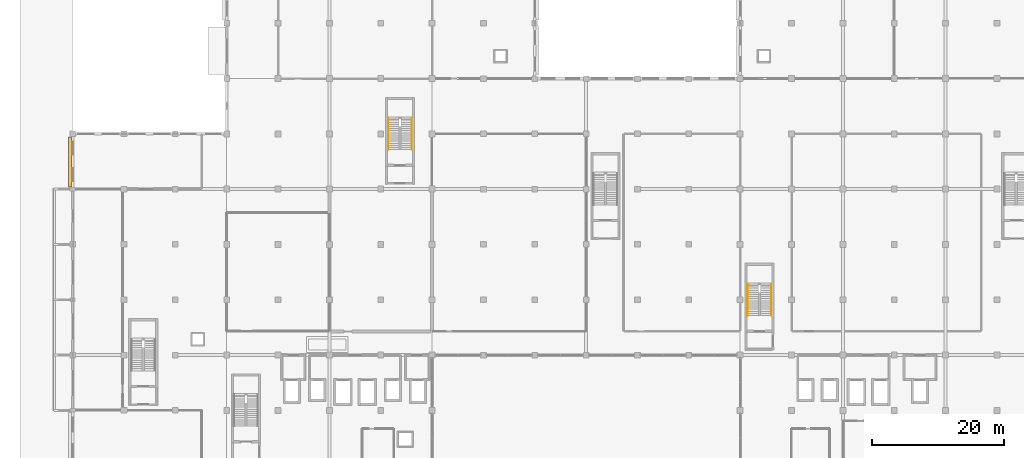
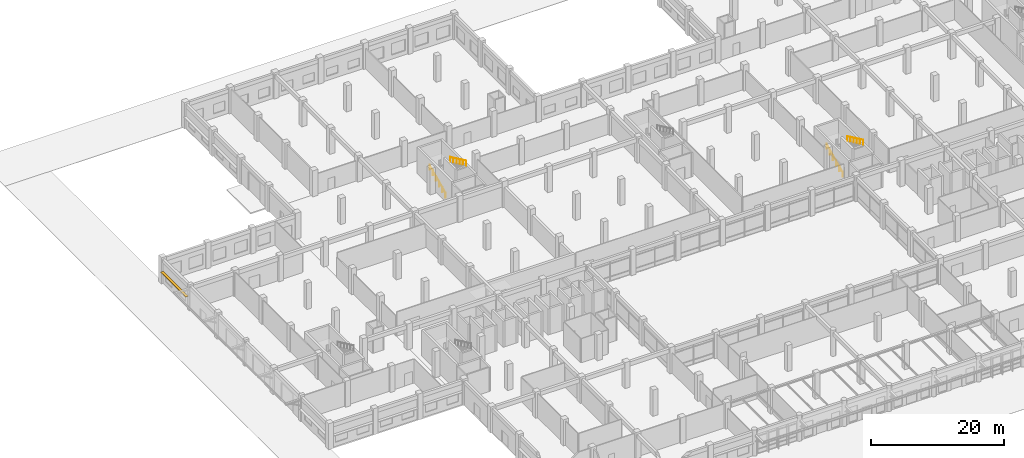
# One storey, part 67 of 74: 4 railings, 1 shading device.
"""IFC4 building model written with IfcOpenShell, lengths in metres."""

from ifc_helpers import new_model, si_unit, direction, frame, origin, origin_2d, place, context, subcontext, project, spatial, rectangle, circle, extrude, material, layer, layer_set, type_object, element, save


model = new_model("IFC4")

# Units and contexts
model_context = context("Model", 3, precision=1e-05, world=origin(), true_north=direction((0.0, 1.0)))
body_context = subcontext(model_context, "Body", "Model", "MODEL_VIEW")
ifc_project = project(units=[si_unit("LENGTHUNIT", "METRE"), si_unit("AREAUNIT", "SQUARE_METRE"), si_unit("VOLUMEUNIT", "CUBIC_METRE"), si_unit("PLANEANGLEUNIT", "RADIAN"), si_unit("MASSUNIT", "GRAM", prefix="KILO"), si_unit("THERMODYNAMICTEMPERATUREUNIT", "KELVIN"), si_unit("POWERUNIT", "WATT")], contexts=[model_context])

# Site, building, storey
site_placement = place(None, origin())
site = spatial("IfcSite", under=ifc_project, at=site_placement, CompositionType="ELEMENT")
building_placement = place(site_placement, origin())
building = spatial("IfcBuilding", under=site, at=building_placement, Name="Srebrne Nadtorze General Hospital", CompositionType="ELEMENT")
storey_placement = place(building_placement, origin())
storey = spatial("IfcBuildingStorey", under=building, at=storey_placement, Name="L00", CompositionType="ELEMENT", Elevation=0.0)

# Shading device
ifc_material_1 = material(Name="Anodised Aluminium", Category="aluminium")
ifc_layer = layer(ifc_material_1, 0.080078125)
ifc_layer_set = layer_set([ifc_layer], Name="Anodised Aluminium")
shading_device_type = type_object("IfcShadingDeviceType", Name="Hisashi horizontal aluminium sunshade", PredefinedType="JALOUSIE", material=ifc_layer_set)
shading_device_placement = place(storey_placement, frame((-0.3798828125, 79.71240234375, 2.219970703125), z_axis=(0.0, 0.0, 1.0), x_axis=(1.0, 0.0, 0.0)))
element("IfcShadingDevice", 1, at=shading_device_placement, inside=storey, type_object=shading_device_type, Name="Hisashi horizontal sunshade eave LV-027", PredefinedType="JALOUSIE", context=body_context, shape_type="SweptSolid", body=[
    extrude(rectangle(XDim=0.47998046875, YDim=7.56494140625, at=origin_2d()), origin(), (0.0, 0.0, 1.0), 0.080078125),
])

# Railings
ifc_material_2 = material(Name="Stainless Steel 316", Category="steel")
railing_type = type_object("IfcRailingType", Name="Tubular stainless handrail 920", PredefinedType="HANDRAIL", material=ifc_material_2)
railing_1_placement = place(storey_placement, frame((47.929931640625, 81.60009765625, 0.14990234375)))
element("IfcRailing", 2, at=railing_1_placement, inside=storey, type_object=railing_type, Name="Stair flight handrail ST-02-L00 F1", PredefinedType="HANDRAIL", context=body_context, shape_type="SweptSolid", body=[
    extrude(circle(Radius=0.02392578125, at=origin_2d()), frame((0.0, 0.0, 0.89599609375), z_axis=(0.0, 0.905452298538, 0.424448035774), x_axis=(-1.0, 0.0, 0.0)), (0.0, 0.0, 1.0), 5.301025390625),
    extrude(circle(Radius=0.02099609375, at=origin_2d()), origin(), (0.0, 0.0, 1.0), 0.871826171875),
    extrude(circle(Radius=0.02099609375, at=origin_2d()), frame((0.0, 0.9599609375, 0.449951171875)), (0.0, 0.0, 1.0), 0.871826171875),
    extrude(circle(Radius=0.02099609375, at=origin_2d()), frame((0.0, 1.919921875, 0.89990234375)), (0.0, 0.0, 1.0), 0.871826171875),
    extrude(circle(Radius=0.02099609375, at=origin_2d()), frame((0.0, 2.8798828125, 1.35009765625)), (0.0, 0.0, 1.0), 0.871826171875),
    extrude(circle(Radius=0.02099609375, at=origin_2d()), frame((0.0, 3.83984375, 1.800048828125)), (0.0, 0.0, 1.0), 0.871826171875),
    extrude(circle(Radius=0.02099609375, at=origin_2d()), frame((0.0, 4.7998046875, 2.25)), (0.0, 0.0, 1.0), 0.871826171875),
])
railing_2_placement = place(storey_placement, frame((51.52001953125, 86.39990234375, 2.550048828125)))
element("IfcRailing", 3, at=railing_2_placement, inside=storey, type_object=railing_type, Name="Stair flight handrail ST-02-L00 F2", PredefinedType="HANDRAIL", context=body_context, shape_type="SweptSolid", body=[
    extrude(circle(Radius=0.02392578125, at=origin_2d()), frame((0.0, 0.0, 0.89599609375), z_axis=(0.0, -0.905452298538, 0.424448035774), x_axis=(1.0, 0.0, 0.0)), (0.0, 0.0, 1.0), 5.301025390625),
    extrude(circle(Radius=0.02099609375, at=origin_2d()), origin(), (0.0, 0.0, 1.0), 0.871826171875),
    extrude(circle(Radius=0.02099609375, at=origin_2d()), frame((0.0, -0.9599609375, 0.449951171875)), (0.0, 0.0, 1.0), 0.871826171875),
    extrude(circle(Radius=0.02099609375, at=origin_2d()), frame((0.0, -1.919921875, 0.89990234375)), (0.0, 0.0, 1.0), 0.871826171875),
    extrude(circle(Radius=0.02099609375, at=origin_2d()), frame((0.0, -2.8798828125, 1.35009765625)), (0.0, 0.0, 1.0), 0.871826171875),
    extrude(circle(Radius=0.02099609375, at=origin_2d()), frame((0.0, -3.83984375, 1.800048828125)), (0.0, 0.0, 1.0), 0.871826171875),
    extrude(circle(Radius=0.02099609375, at=origin_2d()), frame((0.0, -4.7998046875, 2.25)), (0.0, 0.0, 1.0), 0.871826171875),
])
railing_3_placement = place(storey_placement, frame((102.530029296875, 56.39990234375, 0.14990234375)))
element("IfcRailing", 4, at=railing_3_placement, inside=storey, type_object=railing_type, Name="Stair flight handrail ST-03-L00 F1", PredefinedType="HANDRAIL", context=body_context, shape_type="SweptSolid", body=[
    extrude(circle(Radius=0.02392578125, at=origin_2d()), frame((0.0, 0.0, 0.89599609375), z_axis=(0.0, 0.90546059521, 0.424430336476), x_axis=(-1.0, 0.0, 0.0)), (0.0, 0.0, 1.0), 5.30126953125),
    extrude(circle(Radius=0.02099609375, at=origin_2d()), origin(), (0.0, 0.0, 1.0), 0.871826171875),
    extrude(circle(Radius=0.02099609375, at=origin_2d()), frame((0.0, 0.9599609375, 0.449951171875)), (0.0, 0.0, 1.0), 0.871826171875),
    extrude(circle(Radius=0.02099609375, at=origin_2d()), frame((0.0, 1.919921875, 0.89990234375)), (0.0, 0.0, 1.0), 0.871826171875),
    extrude(circle(Radius=0.02099609375, at=origin_2d()), frame((0.0, 2.880126953125, 1.35009765625)), (0.0, 0.0, 1.0), 0.871826171875),
    extrude(circle(Radius=0.02099609375, at=origin_2d()), frame((0.0, 3.840087890625, 1.800048828125)), (0.0, 0.0, 1.0), 0.871826171875),
    extrude(circle(Radius=0.02099609375, at=origin_2d()), frame((0.0, 4.800048828125, 2.25)), (0.0, 0.0, 1.0), 0.871826171875),
])
railing_4_placement = place(storey_placement, frame((106.1201171875, 61.199951171875, 2.550048828125)))
element("IfcRailing", 5, at=railing_4_placement, inside=storey, type_object=railing_type, Name="Stair flight handrail ST-03-L00 F2", PredefinedType="HANDRAIL", context=body_context, shape_type="SweptSolid", body=[
    extrude(circle(Radius=0.02392578125, at=origin_2d()), frame((0.0, 0.0, 0.89599609375), z_axis=(0.0, -0.90546059521, 0.424430336476), x_axis=(1.0, 0.0, 0.0)), (0.0, 0.0, 1.0), 5.30126953125),
    extrude(circle(Radius=0.02099609375, at=origin_2d()), origin(), (0.0, 0.0, 1.0), 0.871826171875),
    extrude(circle(Radius=0.02099609375, at=origin_2d()), frame((0.0, -0.9599609375, 0.449951171875)), (0.0, 0.0, 1.0), 0.871826171875),
    extrude(circle(Radius=0.02099609375, at=origin_2d()), frame((0.0, -1.919921875, 0.89990234375)), (0.0, 0.0, 1.0), 0.871826171875),
    extrude(circle(Radius=0.02099609375, at=origin_2d()), frame((0.0, -2.880126953125, 1.35009765625)), (0.0, 0.0, 1.0), 0.871826171875),
    extrude(circle(Radius=0.02099609375, at=origin_2d()), frame((0.0, -3.840087890625, 1.800048828125)), (0.0, 0.0, 1.0), 0.871826171875),
    extrude(circle(Radius=0.02099609375, at=origin_2d()), frame((0.0, -4.800048828125, 2.25)), (0.0, 0.0, 1.0), 0.871826171875),
])

save(model, "model.ifc")
